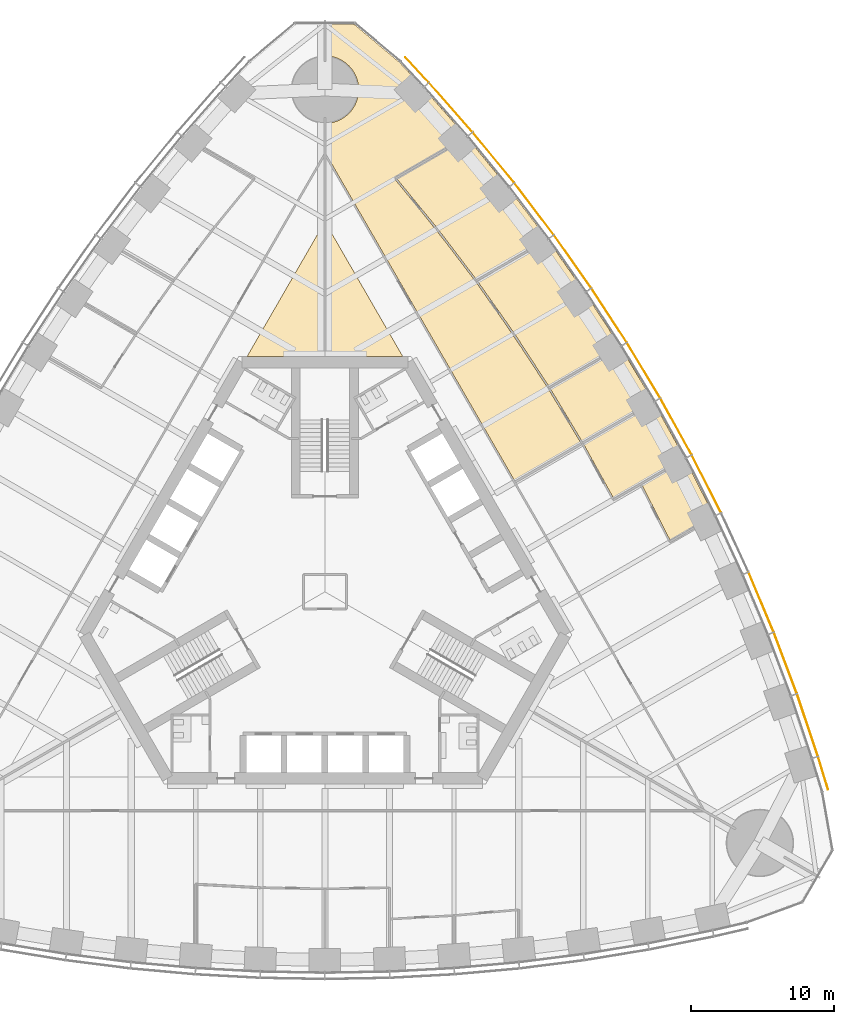
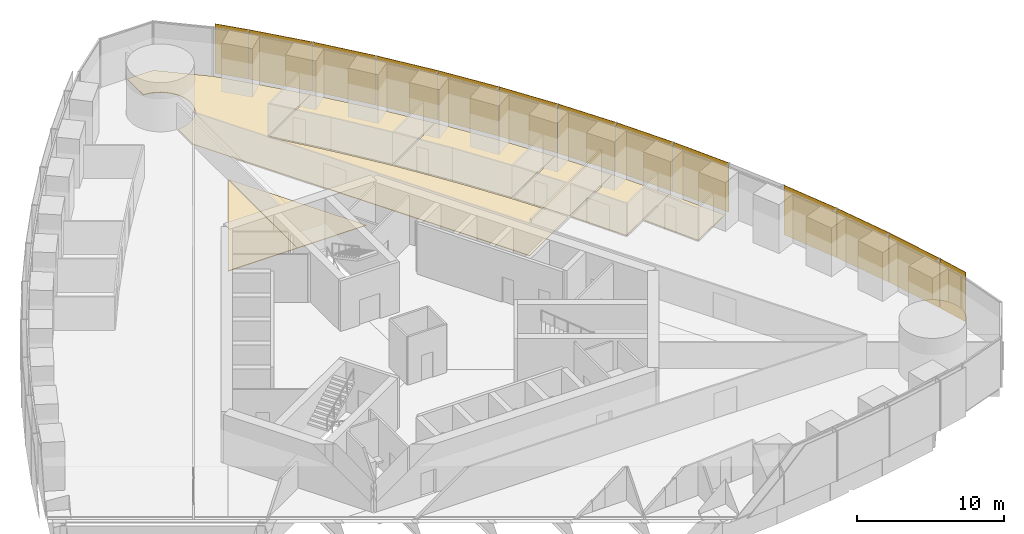
# One storey, part 16 of 18: 13 shading devices, 8 coverings.
"""IFC4 building model written with IfcOpenShell, lengths in metres."""

from ifc_helpers import new_model, si_unit, direction, frame, origin, origin_2d, place, context, subcontext, project, spatial, polyline, rectangle, outline, extrude, material, layer, layer_set, type_object, element, save


model = new_model("IFC4")

# Units and contexts
model_context = context("Model", 3, precision=1e-05, world=origin(), true_north=direction((0.0, 1.0)))
body_context = subcontext(model_context, "Body", "Model", "MODEL_VIEW")
ifc_project = project(units=[si_unit("LENGTHUNIT", "METRE"), si_unit("AREAUNIT", "SQUARE_METRE"), si_unit("VOLUMEUNIT", "CUBIC_METRE"), si_unit("PLANEANGLEUNIT", "RADIAN"), si_unit("MASSUNIT", "GRAM", prefix="KILO")], contexts=[model_context])

# Site, building, storey
site_placement = place(None, origin())
site = spatial("IfcSite", under=ifc_project, at=site_placement, CompositionType="ELEMENT")
building_placement = place(site_placement, origin())
building = spatial("IfcBuilding", under=site, at=building_placement, Name="Trefoil Bronze Tower", CompositionType="ELEMENT")
storey_placement = place(building_placement, frame((0.0, 0.0, 115.699951171875)))
storey = spatial("IfcBuildingStorey", under=building, at=storey_placement, Name="L26", CompositionType="ELEMENT", Elevation=115.699951171875)

# Shading devices
ifc_material_1 = material(Name="Perforated bronze sheet", Category="bronze")
ifc_layer_1 = layer(ifc_material_1, 0.0400390625)
ifc_layer_set_1 = layer_set([ifc_layer_1], Name="Bronze solar screen panel")
shading_device_type = type_object("IfcShadingDeviceType", Name="Bronze solar screen panel", PredefinedType="SHUTTER", material=ifc_layer_set_1)
shading_device_1_placement = place(storey_placement, frame((34.717529296875, -12.634765625, 0.050048828125), z_axis=(0.0, 0.0, 1.0), x_axis=(-0.291668676391, 0.956519410787, 0.0)))
element("IfcShadingDevice", 1, at=shading_device_1_placement, inside=storey, type_object=shading_device_type, Name="Solar screen CW-A L26 F2 bay 1", PredefinedType="SHUTTER", context=body_context, shape_type="SweptSolid", body=[
    extrude(rectangle(XDim=2.39013671875, YDim=0.0400390625, at=origin_2d()), origin(), (0.0, 0.0, 1.0), 4.10009765625),
])
shading_device_2_placement = place(storey_placement, frame((33.62890625, -9.286865234375, 0.050048828125), z_axis=(0.0, 0.0, 1.0), x_axis=(-0.318403749569, 0.947955195281, 0.0)))
element("IfcShadingDevice", 2, at=shading_device_2_placement, inside=storey, type_object=shading_device_type, Name="Solar screen CW-A L26 F2 bay 2", PredefinedType="SHUTTER", context=body_context, shape_type="SweptSolid", body=[
    extrude(rectangle(XDim=4.56103515625, YDim=0.0400390625, at=origin_2d()), origin(), (0.0, 0.0, 1.0), 4.10009765625),
])
shading_device_3_placement = place(storey_placement, frame((32.086669921875, -4.95849609375, 0.050048828125), z_axis=(0.0, 0.0, 1.0), x_axis=(-0.352919739707, 0.935653599002, 0.0)))
element("IfcShadingDevice", 3, at=shading_device_3_placement, inside=storey, type_object=shading_device_type, Name="Solar screen CW-A L26 F2 bay 3", PredefinedType="SHUTTER", context=body_context, shape_type="SweptSolid", body=[
    extrude(rectangle(XDim=4.5302734375, YDim=0.0400390625, at=origin_2d()), origin(), (0.0, 0.0, 1.0), 4.10009765625),
])
shading_device_4_placement = place(storey_placement, frame((30.3974609375, -0.715087890625, 0.050048828125), z_axis=(0.0, 0.0, 1.0), x_axis=(-0.386759234303, 0.922180727776, 0.0)))
element("IfcShadingDevice", 4, at=shading_device_4_placement, inside=storey, type_object=shading_device_type, Name="Solar screen CW-A L26 F2 bay 4", PredefinedType="SHUTTER", context=body_context, shape_type="SweptSolid", body=[
    extrude(rectangle(XDim=4.50634765625, YDim=0.0400390625, at=origin_2d()), origin(), (0.0, 0.0, 1.0), 4.10009765625),
])
shading_device_5_placement = place(storey_placement, frame((26.5869140625, 7.52197265625, 0.050048828125), z_axis=(0.0, 0.0, 1.0), x_axis=(-0.452448919686, 0.891790320128, 0.0)))
element("IfcShadingDevice", 5, at=shading_device_5_placement, inside=storey, type_object=shading_device_type, Name="Solar screen CW-A L26 F2 bay 6", PredefinedType="SHUTTER", context=body_context, shape_type="SweptSolid", body=[
    extrude(rectangle(XDim=4.4765625, YDim=0.0400390625, at=origin_2d()), origin(), (0.0, 0.0, 1.0), 4.10009765625),
])
for number, where, z_axis, x_axis, name in (
    (6, (24.468505859375, 11.517578125, 0.050048828125), (0.0, 0.0, 1.0), (-0.484312195836, 0.874895249138, 0.0), "Solar screen CW-A L26 F2 bay 7"),
    (7, (22.208740234375, 15.431396484375, 0.050048828125), (0.0, 0.0, 1.0), (-0.515525413486, 0.856874289526, 0.0), "Solar screen CW-A L26 F2 bay 8"),
):
    element("IfcShadingDevice", number, at=place(storey_placement, frame(where, z_axis=z_axis, x_axis=x_axis)), inside=storey, type_object=shading_device_type, Name=name, PredefinedType="SHUTTER", context=body_context, shape_type="SweptSolid", body=[
        extrude(rectangle(XDim=4.470703125, YDim=0.0400390625, at=origin_2d()), origin(), (0.0, 0.0, 1.0), 4.10009765625),
    ])
shading_device_6_placement = place(storey_placement, frame((19.8076171875, 19.263916015625, 0.050048828125), z_axis=(0.0, 0.0, 1.0), x_axis=(-0.546088612237, 0.837727418427, 0.0)))
element("IfcShadingDevice", 8, at=shading_device_6_placement, inside=storey, type_object=shading_device_type, Name="Solar screen CW-A L26 F2 bay 9", PredefinedType="SHUTTER", context=body_context, shape_type="SweptSolid", body=[
    extrude(rectangle(XDim=4.4765625, YDim=0.0400390625, at=origin_2d()), origin(), (0.0, 0.0, 1.0), 4.10009765625),
])
shading_device_7_placement = place(storey_placement, frame((17.264892578125, 23.014404296875, 0.050048828125), z_axis=(0.0, 0.0, 1.0), x_axis=(-0.575999283275, 0.817450197667, 0.0)))
element("IfcShadingDevice", 9, at=shading_device_7_placement, inside=storey, type_object=shading_device_type, Name="Solar screen CW-A L26 F2 bay 10", PredefinedType="SHUTTER", context=body_context, shape_type="SweptSolid", body=[
    extrude(rectangle(XDim=4.48828125, YDim=0.0400390625, at=origin_2d()), origin(), (0.0, 0.0, 1.0), 4.10009765625),
])
shading_device_8_placement = place(storey_placement, frame((14.579345703125, 26.6826171875, 0.050048828125), z_axis=(0.0, 0.0, 1.0), x_axis=(-0.605252319983, 0.796033685943, 0.0)))
element("IfcShadingDevice", 10, at=shading_device_8_placement, inside=storey, type_object=shading_device_type, Name="Solar screen CW-A L26 F2 bay 11", PredefinedType="SHUTTER", context=body_context, shape_type="SweptSolid", body=[
    extrude(rectangle(XDim=4.50634765625, YDim=0.0400390625, at=origin_2d()), origin(), (0.0, 0.0, 1.0), 4.10009765625),
])
shading_device_9_placement = place(storey_placement, frame((11.7490234375, 30.26708984375, 0.050048828125), z_axis=(0.0, 0.0, 1.0), x_axis=(-0.633839916024, 0.773464259584, 0.0)))
element("IfcShadingDevice", 11, at=shading_device_9_placement, inside=storey, type_object=shading_device_type, Name="Solar screen CW-A L26 F2 bay 12", PredefinedType="SHUTTER", context=body_context, shape_type="SweptSolid", body=[
    extrude(rectangle(XDim=4.5302734375, YDim=0.0400390625, at=origin_2d()), origin(), (0.0, 0.0, 1.0), 4.10009765625),
])
shading_device_10_placement = place(storey_placement, frame((8.77197265625, 33.766845703125, 0.050048828125), z_axis=(0.0, 0.0, 1.0), x_axis=(-0.661751405978, 0.749723333428, 0.0)))
element("IfcShadingDevice", 12, at=shading_device_10_placement, inside=storey, type_object=shading_device_type, Name="Solar screen CW-A L26 F2 bay 13", PredefinedType="SHUTTER", context=body_context, shape_type="SweptSolid", body=[
    extrude(rectangle(XDim=4.56103515625, YDim=0.0400390625, at=origin_2d()), origin(), (0.0, 0.0, 1.0), 4.10009765625),
])
shading_device_11_placement = place(storey_placement, frame((6.416748046875, 36.383544921875, 0.050048828125), z_axis=(0.0, 0.0, 1.0), x_axis=(-0.682535770759, 0.730852188636, 0.0)))
element("IfcShadingDevice", 13, at=shading_device_11_placement, inside=storey, type_object=shading_device_type, Name="Solar screen CW-A L26 F2 bay 14", PredefinedType="SHUTTER", context=body_context, shape_type="SweptSolid", body=[
    extrude(rectangle(XDim=2.39013671875, YDim=0.0400390625, at=origin_2d()), origin(), (0.0, 0.0, 1.0), 4.10009765625),
])

# Coverings
ifc_material_2 = material(Name="Raised access floor panels", Category="steel")
ifc_layer_2 = layer(ifc_material_2, 0.050048828125)
ifc_layer_set_2 = layer_set([ifc_layer_2], Name="Raised access floor 150")
covering_type = type_object("IfcCoveringType", Name="Raised access floor 150", PredefinedType="FLOORING", material=ifc_layer_set_2)
covering_1_placement = place(storey_placement, frame((0.0, 0.0, 0.10009765625)))
element("IfcCovering", 14, at=covering_1_placement, inside=storey, type_object=covering_type, Name="Raised floor L26 Office F2", PredefinedType="FLOORING", context=body_context, shape_type="SweptSolid", body=[
    extrude(outline(polyline([(12.776611328125, 28.1611328125), (15.522216796875, 24.55029296875), (14.102294921875, 23.73046875), (14.072509765625, 23.782470703125), (10.558349609375, 21.753662109375), (7.8447265625, 25.322509765625), (7.797119140625, 25.2861328125), (7.843505859375, 25.32421875), (4.997802734375, 28.796875), (8.481201171875, 30.80810546875), (8.451171875, 30.860107421875), (9.885986328125, 31.6884765625), (12.776611328125, 28.1611328125)])), origin(), (0.0, 0.0, 1.0), 0.050048828125),
])
covering_2_placement = place(storey_placement, frame((0.0, 0.0, 0.10009765625)))
element("IfcCovering", 15, at=covering_2_placement, inside=storey, type_object=covering_type, Name="Raised floor L26 Office F2", PredefinedType="FLOORING", context=body_context, shape_type="SweptSolid", body=[
    extrude(outline(polyline([(20.585693359375, 17.081298828125), (19.17333984375, 16.265869140625), (19.143310546875, 16.31787109375), (15.62548828125, 14.286865234375), (13.195556640625, 18.014404296875), (13.145263671875, 17.981689453125), (13.1943359375, 18.016357421875), (10.62939453125, 21.656005859375), (14.13232421875, 23.678466796875), (14.102294921875, 23.73046875), (15.522216796875, 24.55029296875), (18.124755859375, 20.856689453125), (20.585693359375, 17.081298828125)])), origin(), (0.0, 0.0, 1.0), 0.050048828125),
])
covering_3_placement = place(storey_placement, frame((0.0, 0.0, 0.10009765625)))
element("IfcCovering", 16, at=covering_3_placement, inside=storey, type_object=covering_type, Name="Raised floor L26 Meeting room F2", PredefinedType="FLOORING", context=body_context, shape_type="SweptSolid", body=[
    extrude(outline(polyline([(20.585693359375, 17.081298828125), (22.906005859375, 13.224853515625), (21.494384765625, 12.409912109375), (21.45703125, 12.474853515625), (17.939697265625, 10.444091796875), (15.689208984375, 14.18505859375), (19.203369140625, 16.2138671875), (19.17333984375, 16.265869140625), (20.585693359375, 17.081298828125)])), origin(), (0.0, 0.0, 1.0), 0.050048828125),
])
covering_4_placement = place(storey_placement, frame((0.0, 0.0, 0.10009765625)))
element("IfcCovering", 17, at=covering_4_placement, inside=storey, type_object=covering_type, Name="Raised floor L26 Break room F2", PredefinedType="FLOORING", context=body_context, shape_type="SweptSolid", body=[
    extrude(outline(polyline([(22.906005859375, 13.224853515625), (25.085693359375, 9.287109375), (23.67333984375, 8.4716796875), (23.643310546875, 8.523681640625), (20.129150390625, 6.49462890625), (18.0146484375, 10.314208984375), (21.531982421875, 12.344970703125), (21.494384765625, 12.409912109375), (22.906005859375, 13.224853515625)])), origin(), (0.0, 0.0, 1.0), 0.050048828125),
])
covering_5_placement = place(storey_placement, frame((0.0, 0.0, 0.10009765625)))
element("IfcCovering", 18, at=covering_5_placement, inside=storey, type_object=covering_type, Name="Raised floor L26 Print and store room F2", PredefinedType="FLOORING", context=body_context, shape_type="SweptSolid", body=[
    extrude(outline(polyline([(25.085693359375, 9.287109375), (27.124755859375, 5.268310546875), (25.709716796875, 4.451171875), (25.6796875, 4.503173828125), (24.062255859375, 3.5693359375), (22.07763671875, 7.481201171875), (23.703369140625, 8.419677734375), (23.67333984375, 8.4716796875), (25.085693359375, 9.287109375)])), origin(), (0.0, 0.0, 1.0), 0.050048828125),
])
covering_6_placement = place(storey_placement, frame((0.0, 0.0, 0.10009765625)))
element("IfcCovering", 19, at=covering_6_placement, inside=storey, type_object=covering_type, Name="Raised floor L26 Trading floor F2", PredefinedType="FLOORING", context=body_context, shape_type="SweptSolid", body=[
    extrude(outline(polyline([(2.052001953125, 39.53759765625), (5.1962890625, 36.8994140625), (6.847900390625, 35.130615234375), (9.885986328125, 31.6884765625), (8.451171875, 30.860107421875), (8.421142578125, 30.912109375), (4.87646484375, 28.865478515625), (4.906494140625, 28.8134765625), (4.860107421875, 28.775390625), (6.95361328125, 26.220947265625), (8.50634765625, 24.254150390625), (10.494140625, 21.639892578125), (12.408447265625, 18.923095703125), (13.7451171875, 16.951416015625), (15.555419921875, 14.174560546875), (17.835693359375, 10.384033203125), (13.22998046875, 7.72509765625), (0.068359375, 30.521484375), (0.011474609375, 30.488525390625), (0.01220703125, 32.650390625), (0.115234375, 32.65283203125), (0.230224609375, 32.661376953125), (0.3447265625, 32.67529296875), (0.45849609375, 32.6953125), (0.571044921875, 32.720458984375), (0.68212890625, 32.751220703125), (0.791748046875, 32.787353515625), (0.8994140625, 32.828857421875), (1.0048828125, 32.87548828125), (1.10791015625, 32.927490234375), (1.2080078125, 32.984375), (1.3056640625, 33.0458984375), (1.39990234375, 33.112548828125), (1.49072265625, 33.183349609375), (1.578125, 33.2587890625), (1.66162109375, 33.33837890625), (1.7412109375, 33.421875), (1.816650390625, 33.50927734375), (1.887451171875, 33.60009765625), (1.9541015625, 33.6943359375), (2.015625, 33.7919921875), (2.072509765625, 33.89208984375), (2.12451171875, 33.9951171875), (2.171142578125, 34.1005859375), (2.212646484375, 34.208251953125), (2.248779296875, 34.31787109375), (2.279541015625, 34.428955078125), (2.3046875, 34.54150390625), (2.32470703125, 34.6552734375), (2.338623046875, 34.769775390625), (2.34716796875, 34.884765625), (2.35009765625, 35.0), (2.34716796875, 35.115234375), (2.338623046875, 35.230224609375), (2.32470703125, 35.3447265625), (2.3046875, 35.45849609375), (2.279541015625, 35.571044921875), (2.248779296875, 35.68212890625), (2.212646484375, 35.791748046875), (2.171142578125, 35.8994140625), (2.12451171875, 36.0048828125), (2.072509765625, 36.10791015625), (2.015625, 36.2080078125), (1.9541015625, 36.3056640625), (1.887451171875, 36.39990234375), (1.816650390625, 36.49072265625), (1.7412109375, 36.578125), (1.66162109375, 36.66162109375), (1.578125, 36.7412109375), (1.49072265625, 36.816650390625), (1.39990234375, 36.887451171875), (1.3056640625, 36.9541015625), (1.2080078125, 37.015625), (1.10791015625, 37.072509765625), (1.0048828125, 37.12451171875), (0.8994140625, 37.171142578125), (0.791748046875, 37.212646484375), (0.68212890625, 37.248779296875), (0.571044921875, 37.279541015625), (0.45849609375, 37.3046875), (0.3447265625, 37.32470703125), (0.230224609375, 37.338623046875), (0.115234375, 37.34716796875), (0.013916015625, 37.349609375), (0.014892578125, 39.53759765625), (2.052001953125, 39.53759765625)])), origin(), (0.0, 0.0, 1.0), 0.050048828125),
])
covering_7_placement = place(storey_placement, frame((0.0, 0.0, 0.10009765625)))
element("IfcCovering", 20, at=covering_7_placement, inside=storey, type_object=covering_type, Name="Raised floor L26 Trading floor F2", PredefinedType="FLOORING", context=body_context, shape_type="SweptSolid", body=[
    extrude(outline(polyline([(0.006103515625, 16.39990234375), (0.009765625, 25.783203125), (5.427001953125, 16.39990234375), (0.006103515625, 16.39990234375)])), origin(), (0.0, 0.0, 1.0), 0.050048828125),
])
covering_8_placement = place(storey_placement, frame((0.0, 0.0, 0.10009765625)))
element("IfcCovering", 21, at=covering_8_placement, inside=storey, type_object=covering_type, Name="Raised floor L26 Operations floor F3", PredefinedType="FLOORING", context=body_context, shape_type="SweptSolid", body=[
    extrude(outline(polyline([(-0.006103515625, 16.39990234375), (-5.427001953125, 16.39990234375), (-0.009765625, 25.783203125), (-0.006103515625, 16.39990234375)])), origin(), (0.0, 0.0, 1.0), 0.050048828125),
])

save(model, "model.ifc")
